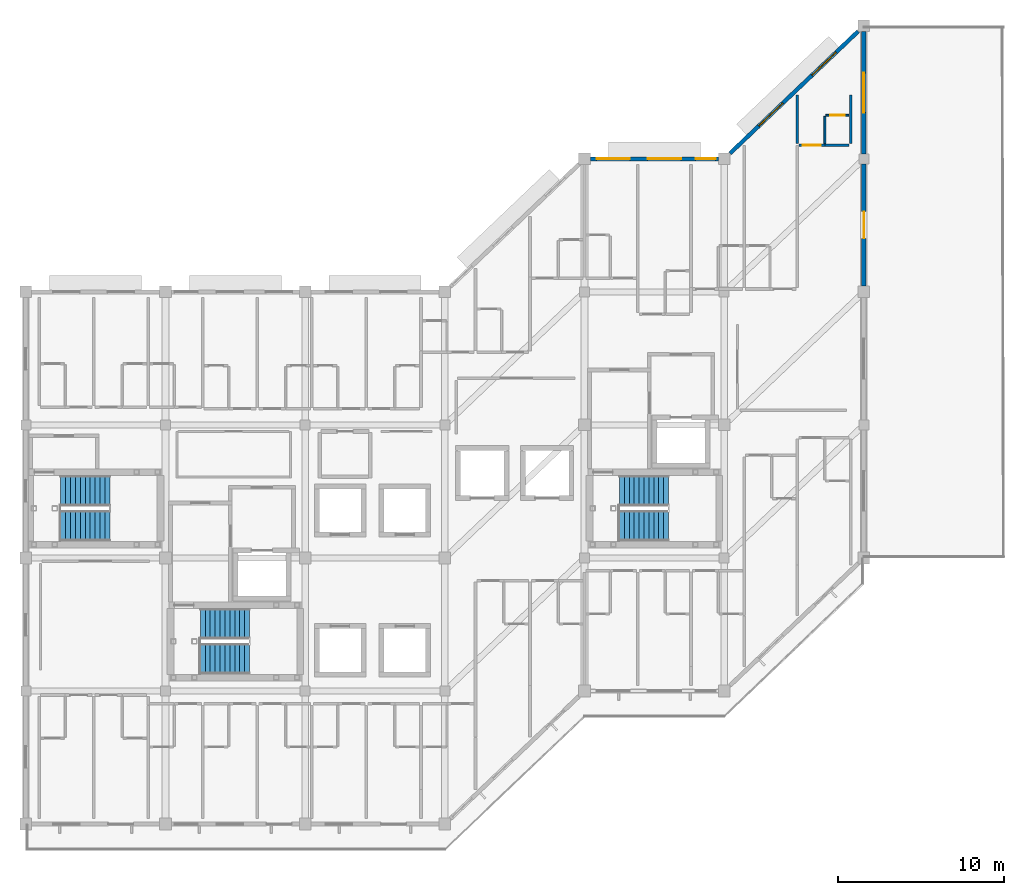
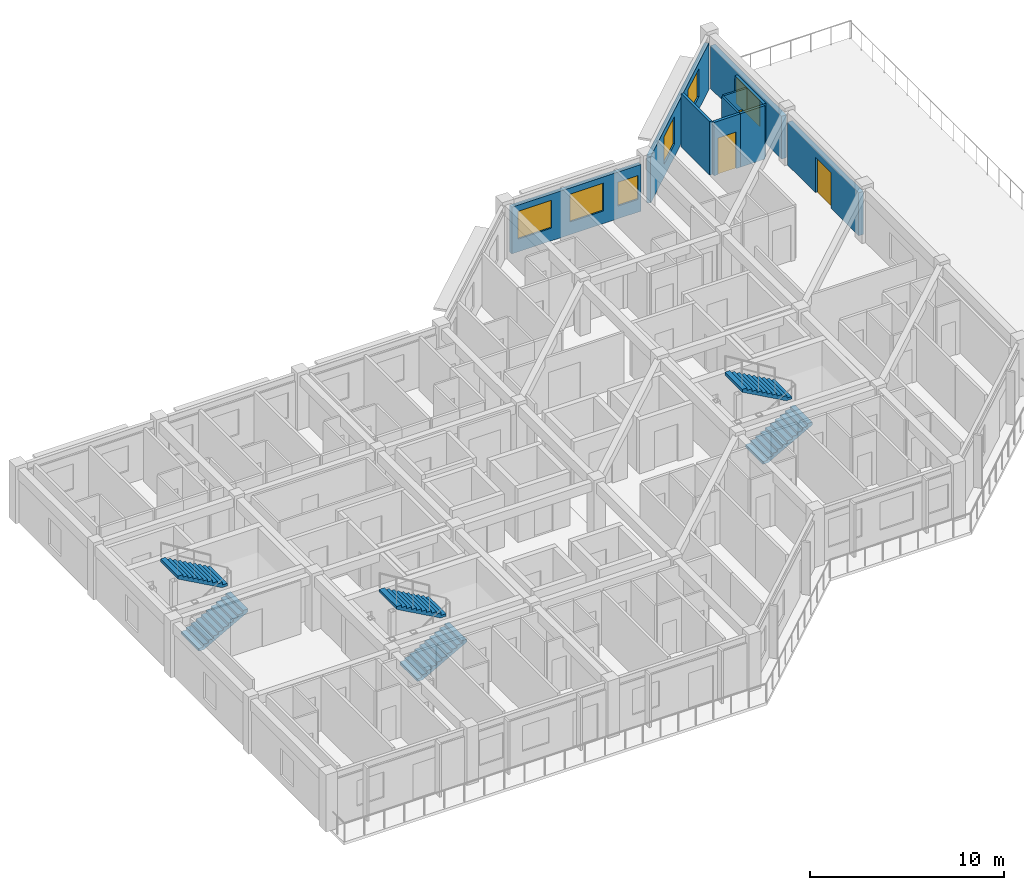
# One storey, part 12 of 15: 10 walls, 6 stair flights, 6 windows, 3 doors, 9 openings, 3 elements without a shape of their own.
"""IFC4 building model written with IfcOpenShell, lengths in metres."""

from ifc_helpers import new_model, si_unit, direction, frame, frame_2d, origin, place, context, subcontext, project, spatial, polyline, rectangle, outline, extrude, material, layer, layer_set, type_object, element, fill, aggregate, save


model = new_model("IFC4")

# Units and contexts
model_context = context("Model", 3, precision=1e-05, world=origin(), true_north=direction((0.0, 1.0)))
body_context = subcontext(model_context, "Body", "Model", "MODEL_VIEW")
ifc_project = project(units=[si_unit("LENGTHUNIT", "METRE"), si_unit("AREAUNIT", "SQUARE_METRE"), si_unit("VOLUMEUNIT", "CUBIC_METRE"), si_unit("PLANEANGLEUNIT", "RADIAN"), si_unit("MASSUNIT", "GRAM", prefix="KILO")], contexts=[model_context])

# Site, building, storey
site_placement = place(None, origin())
site = spatial("IfcSite", under=ifc_project, at=site_placement, CompositionType="ELEMENT")
building_placement = place(site_placement, origin())
building = spatial("IfcBuilding", under=site, at=building_placement, Name="Naruveol Harbour Congress Hotel", CompositionType="ELEMENT")
storey_placement = place(building_placement, frame((0.0, 0.0, 36.0)))
storey = spatial("IfcBuildingStorey", under=building, at=storey_placement, Name="L08", CompositionType="ELEMENT", Elevation=36.0)

# Wall, opening, window
ifc_material_1 = material(Name="Precast concrete C40/50", Category="concrete")
ifc_layer_1 = layer(ifc_material_1, 0.280029296875)
ifc_layer_set_1 = layer_set([ifc_layer_1], Name="Precast concrete C40/50")
wall_type_1 = type_object("IfcWallType", Name="ARCHITECTURAL PRECAST FACADE WALL 280", PredefinedType="SOLIDWALL", material=ifc_layer_set_1)
wall_1_placement = place(storey_placement, frame((168.0, 47.64990234375, 0.0), z_axis=(0.0, 0.0, 1.0), x_axis=(0.0, -1.0, 0.0)))
wall_1 = element("IfcWall", 1, at=wall_1_placement, inside=storey, type_object=wall_type_1, Name="Hotel east gable wall L08 EW-280", PredefinedType="SOLIDWALL", context=body_context, shape_type="SweptSolid", body=[
    extrude(rectangle(XDim=7.349853515625, YDim=0.280029296875, at=frame_2d((3.6748046875, 0.0))), origin(), (0.0, 0.0, 1.0), 2.699951171875),
])
opening_1_placement = place(wall_1_placement, frame((2.47509765625, 0.0, 0.5)))
opening_1 = element("IfcOpeningElement", 2, at=opening_1_placement, cuts=wall_1, Name="Opening W-07", PredefinedType="OPENING", context=body_context, shape_type="SweptSolid", body=[
    extrude(rectangle(XDim=2.39990234375, YDim=1.64990234375, at=frame_2d((1.199951171875, 0.824951171875))), frame((0.0, 0.14990234375, 0.0), z_axis=(0.0, -1.0, 0.0), x_axis=(1.0, 0.0, 0.0)), (0.0, 0.0, 1.0), 0.300048828125),
])
ifc_material_2 = material(Name="Low-E Triple Glazing in Thermal Aluminium", Category="aluminium")
window_type_1 = type_object("IfcWindowType", Name="CORNER SUITE WINDOW 2400X1650", PartitioningType="DOUBLE_PANEL_VERTICAL", PredefinedType="WINDOW", material=ifc_material_2)
window_1_placement = place(opening_1_placement, origin())
window_1 = element("IfcWindow", 3, at=window_1_placement, inside=storey, type_object=window_type_1, Name="Window W-07 #440", OverallHeight=1.64990234375, OverallWidth=2.39990234375, PartitioningType="DOUBLE_PANEL_VERTICAL", PredefinedType="WINDOW", context=body_context, shape_type="SweptSolid", body=[
    extrude(rectangle(XDim=2.39990234375, YDim=1.64990234375, at=frame_2d((1.199951171875, 0.824951171875))), frame((0.0, 0.030029296875, 0.0), z_axis=(0.0, -1.0, 0.0), x_axis=(1.0, 0.0, 0.0)), (0.0, 0.0, 1.0), 0.06005859375),
])
fill(opening_1, window_1)

# Wall, opening, door
wall_2_placement = place(storey_placement, frame((168.0, 39.699951171875, 0.0), z_axis=(0.0, 0.0, 1.0), x_axis=(0.0, -1.0, 0.0)))
wall_2 = element("IfcWall", 4, at=wall_2_placement, inside=storey, type_object=wall_type_1, Name="Hotel east gable wall L08 EW-280", PredefinedType="SOLIDWALL", context=body_context, shape_type="SweptSolid", body=[
    extrude(rectangle(XDim=7.349853515625, YDim=0.280029296875, at=frame_2d((3.6748046875, 0.0))), origin(), (0.0, 0.0, 1.0), 2.699951171875),
])
opening_2_placement = place(wall_2_placement, frame((2.875, 0.0, 0.0)))
opening_2 = element("IfcOpeningElement", 5, at=opening_2_placement, cuts=wall_2, Name="Opening ED-TE-L08", PredefinedType="OPENING", context=body_context, shape_type="SweptSolid", body=[
    extrude(rectangle(XDim=1.60009765625, YDim=2.25, at=frame_2d((0.800048828125, 1.125))), frame((0.0, 0.14990234375, 0.0), z_axis=(0.0, -1.0, 0.0), x_axis=(1.0, 0.0, 0.0)), (0.0, 0.0, 1.0), 0.300048828125),
])
ifc_material_3 = material(Name="Powder-Coated Steel & Insulated Glazing", Category="steel")
door_type_1 = type_object("IfcDoorType", Name="HARBOUR GARDEN TERRACE DOOR 1600X2250", OperationType="DOUBLE_DOOR_SINGLE_SWING", PredefinedType="DOOR", material=ifc_material_3)
door_1_placement = place(opening_2_placement, origin())
door_1 = element("IfcDoor", 6, at=door_1_placement, inside=storey, type_object=door_type_1, Name="L08 East Harbour Terrace Door", OperationType="DOUBLE_DOOR_SINGLE_SWING", OverallHeight=2.25, OverallWidth=1.60009765625, PredefinedType="DOOR", context=body_context, shape_type="SweptSolid", body=[
    extrude(rectangle(XDim=1.60009765625, YDim=2.25, at=frame_2d((0.800048828125, 1.125))), frame((0.0, 0.02490234375, 0.0), z_axis=(0.0, -1.0, 0.0), x_axis=(1.0, 0.0, 0.0)), (0.0, 0.0, 1.0), 0.050048828125),
])
fill(opening_2, door_1)

# Wall
ifc_material_4 = material(Name="Moisture-Resistant Gypsum Partition", Category="gypsum")
ifc_layer_2 = layer(ifc_material_4, 0.114990234375)
ifc_layer_set_2 = layer_set([ifc_layer_2], Name="Moisture-Resistant Gypsum Partition")
wall_type_2 = type_object("IfcWallType", Name="BATHROOM MOISTURE PARTITION WALL 115", PredefinedType="PARTITIONING", material=ifc_layer_set_2)
wall_3_placement = place(storey_placement, frame((165.64990234375, 40.909912109375, 0.0), z_axis=(0.0, 0.0, 1.0), x_axis=(0.0, 1.0, 0.0)))
element("IfcWall", 7, at=wall_3_placement, inside=storey, type_object=wall_type_2, Name="Bathroom west wall 0950 PW-115", PredefinedType="PARTITIONING", context=body_context, shape_type="SweptSolid", body=[
    extrude(rectangle(XDim=1.650146484375, YDim=0.114990234375, at=frame_2d((0.8251953125, 0.0))), origin(), (0.0, 0.0, 1.0), 3.364990234375),
])

# Wall, opening, door
wall_4_placement = place(storey_placement, frame((165.7099609375, 42.6201171875, 0.0), z_axis=(0.0, 0.0, 1.0), x_axis=(1.0, 0.0, 0.0)))
wall_4 = element("IfcWall", 8, at=wall_4_placement, inside=storey, type_object=wall_type_2, Name="Bathroom north wall 0950 PW-115", PredefinedType="PARTITIONING", context=body_context, shape_type="SweptSolid", body=[
    extrude(rectangle(XDim=1.39013671875, YDim=0.114990234375, at=frame_2d((0.695068359375, 0.0))), origin(), (0.0, 0.0, 1.0), 3.364990234375),
])
opening_3_placement = place(wall_4_placement, frame((0.264892578125, 0.0, 0.0)))
opening_3 = element("IfcOpeningElement", 9, at=opening_3_placement, cuts=wall_4, Name="Opening BD-RM0950", PredefinedType="OPENING", context=body_context, shape_type="SweptSolid", body=[
    extrude(rectangle(XDim=0.860107421875, YDim=2.1201171875, at=frame_2d((0.43017578125, 1.06005859375))), frame((0.0, 0.0673828125, 0.0), z_axis=(0.0, -1.0, 0.0), x_axis=(1.0, 0.0, 0.0)), (0.0, 0.0, 1.0), 0.135009765625),
])
ifc_material_5 = material(Name="Timber & Steel Acoustic Leaf", Category="steel")
door_type_2 = type_object("IfcDoorType", Name="GUEST BATHROOM DOOR 860X2120", OperationType="NOTDEFINED", PredefinedType="DOOR", material=ifc_material_5)
door_2_placement = place(opening_3_placement, origin())
door_2 = element("IfcDoor", 10, at=door_2_placement, inside=storey, type_object=door_type_2, Name="Bathroom Door 0950", OperationType="SINGLE_SWING_RIGHT", OverallHeight=2.1201171875, OverallWidth=0.860107421875, PredefinedType="DOOR", context=body_context, shape_type="SweptSolid", body=[
    extrude(rectangle(XDim=0.860107421875, YDim=2.1201171875, at=frame_2d((0.43017578125, 1.06005859375))), frame((0.0, 0.02490234375, 0.0), z_axis=(0.0, -1.0, 0.0), x_axis=(1.0, 0.0, 0.0)), (0.0, 0.0, 1.0), 0.050048828125),
])
fill(opening_3, door_2)

ifc_material_6 = material(Name="Autoclaved Aerated Concrete Block", Category="concrete")
ifc_layer_3 = layer(ifc_material_6, 0.159912109375)
ifc_layer_set_3 = layer_set([ifc_layer_3], Name="Autoclaved Aerated Concrete Block")
wall_type_3 = type_object("IfcWallType", Name="HOTEL PARTY AND CORRIDOR WALL 160 EI60", PredefinedType="PARTITIONING", material=ifc_layer_set_3)
wall_5_placement = place(storey_placement, frame((164.090087890625, 40.820068359375, 0.0), z_axis=(0.0, 0.0, 1.0), x_axis=(1.0, 0.0, 0.0)))
wall_5 = element("IfcWall", 11, at=wall_5_placement, inside=storey, type_object=wall_type_3, Name="Corridor entry wall 0950 PW-160", PredefinedType="PARTITIONING", context=body_context, shape_type="SweptSolid", body=[
    extrude(rectangle(XDim=1.559814453125, YDim=0.159912109375, at=frame_2d((0.77978515625, 0.0))), origin(), (0.0, 0.0, 1.0), 3.364990234375),
])
opening_4_placement = place(wall_5_placement, frame((0.239990234375, 0.0, 0.0)))
opening_4 = element("IfcOpeningElement", 12, at=opening_4_placement, cuts=wall_5, Name="Opening FD-RM0950", PredefinedType="OPENING", context=body_context, shape_type="SweptSolid", body=[
    extrude(rectangle(XDim=1.080078125, YDim=2.300048828125, at=frame_2d((0.5400390625, 1.14990234375))), frame((0.0, 0.08984375, 0.0), z_axis=(0.0, -1.0, 0.0), x_axis=(1.0, 0.0, 0.0)), (0.0, 0.0, 1.0), 0.179931640625),
])
ifc_material_7 = material(Name="Timber & Steel Acoustic Leaf", Category="steel")
door_type_3 = type_object("IfcDoorType", Name="SUITE ENTRANCE FIRE DOOR 1080X2300", OperationType="NOTDEFINED", PredefinedType="DOOR", material=ifc_material_7)
door_3_placement = place(opening_4_placement, origin())
door_3 = element("IfcDoor", 13, at=door_3_placement, inside=storey, type_object=door_type_3, Name="Hotel Room Door 0950", OperationType="SINGLE_SWING_LEFT", OverallHeight=2.300048828125, OverallWidth=1.080078125, PredefinedType="DOOR", context=body_context, shape_type="SweptSolid", body=[
    extrude(rectangle(XDim=1.080078125, YDim=2.300048828125, at=frame_2d((0.5400390625, 1.14990234375))), frame((0.0, 0.02490234375, 0.0), z_axis=(0.0, -1.0, 0.0), x_axis=(1.0, 0.0, 0.0)), (0.0, 0.0, 1.0), 0.050048828125),
])
fill(opening_4, door_3)

# Walls
wall_6_placement = place(storey_placement, frame((165.659912109375, 40.820068359375, 0.0), z_axis=(0.0, 0.0, 1.0), x_axis=(1.0, 0.0, 0.0)))
element("IfcWall", 14, at=wall_6_placement, inside=storey, type_object=wall_type_3, Name="Corridor wall 0950B PW-160", PredefinedType="PARTITIONING", context=body_context, shape_type="SweptSolid", body=[
    extrude(rectangle(XDim=1.4501953125, YDim=0.159912109375, at=frame_2d((0.72509765625, 0.0))), origin(), (0.0, 0.0, 1.0), 3.364990234375),
])
for number, where, z_axis, x_axis, name in (
    (15, (164.0, 40.909912109375, 0.0), (0.0, 0.0, 1.0), (0.0, 1.0, 0.0), "Hotel party wall 0950 PW-160"),
    (16, (167.199951171875, 40.909912109375, 0.0), (0.0, 0.0, 1.0), (0.0, 1.0, 0.0), "Hotel end party wall 0950 PW-160"),
):
    element("IfcWall", number, at=place(storey_placement, frame(where, z_axis=z_axis, x_axis=x_axis)), inside=storey, type_object=wall_type_3, Name=name, PredefinedType="PARTITIONING", context=body_context, shape_type="SweptSolid", body=[
        extrude(rectangle(XDim=2.940185546875, YDim=0.159912109375, at=frame_2d((1.47021484375, 0.0))), origin(), (0.0, 0.0, 1.0), 3.364990234375),
    ])

# Wall, openings, windows
ifc_material_8 = material(Name="Concrete C40/50", Category="concrete")
ifc_layer_4 = layer(ifc_material_8, 0.239990234375)
ifc_layer_set_4 = layer_set([ifc_layer_4], Name="Concrete C40/50")
wall_type_4 = type_object("IfcWallType", Name="INSULATED HOTEL SPANDREL WALL 240", PredefinedType="SOLIDWALL", material=ifc_layer_set_4)
wall_7_placement = place(storey_placement, frame((151.550048828125, 40.0, 0.0), z_axis=(0.0, 0.0, 1.0), x_axis=(1.0, 0.0, 0.0)))
wall_7 = element("IfcWall", 17, at=wall_7_placement, inside=storey, type_object=wall_type_4, Name="Hotel north bay wall L08 EW-240", PredefinedType="SOLIDWALL", context=body_context, shape_type="SweptSolid", body=[
    extrude(rectangle(XDim=7.699951171875, YDim=0.239990234375, at=frame_2d((3.85009765625, 0.0))), origin(), (0.0, 0.0, 1.0), 2.93994140625),
])
opening_5_placement = place(wall_7_placement, frame((0.375, 0.0, 0.800048828125)))
opening_5 = element("IfcOpeningElement", 18, at=opening_5_placement, cuts=wall_7, Name="Opening W-05", PredefinedType="OPENING", context=body_context, shape_type="SweptSolid", body=[
    extrude(rectangle(XDim=2.0, YDim=1.75, at=frame_2d((1.0, 0.875))), frame((0.0, 0.1298828125, 0.0), z_axis=(0.0, -1.0, 0.0), x_axis=(1.0, 0.0, 0.0)), (0.0, 0.0, 1.0), 0.260009765625),
])
opening_6_placement = place(wall_7_placement, frame((3.449951171875, 0.0, 0.800048828125)))
opening_6 = element("IfcOpeningElement", 19, at=opening_6_placement, cuts=wall_7, Name="Opening W-05", PredefinedType="OPENING", context=body_context, shape_type="SweptSolid", body=[
    extrude(rectangle(XDim=2.0, YDim=1.75, at=frame_2d((1.0, 0.875))), frame((0.0, 0.1298828125, 0.0), z_axis=(0.0, -1.0, 0.0), x_axis=(1.0, 0.0, 0.0)), (0.0, 0.0, 1.0), 0.260009765625),
])
opening_7_placement = place(wall_7_placement, frame((6.324951171875, 0.0, 0.800048828125)))
opening_7 = element("IfcOpeningElement", 20, at=opening_7_placement, cuts=wall_7, Name="Opening W-01", PredefinedType="OPENING", context=body_context, shape_type="SweptSolid", body=[
    extrude(rectangle(XDim=1.199951171875, YDim=1.5, at=frame_2d((0.60009765625, 0.75))), frame((0.0, 0.1298828125, 0.0), z_axis=(0.0, -1.0, 0.0), x_axis=(1.0, 0.0, 0.0)), (0.0, 0.0, 1.0), 0.260009765625),
])
ifc_material_9 = material(Name="Low-E Triple Glazing in Thermal Aluminium", Category="aluminium")
window_type_2 = type_object("IfcWindowType", Name="GARDEN SUITE WINDOW 2000X1750", PartitioningType="DOUBLE_PANEL_VERTICAL", PredefinedType="WINDOW", material=ifc_material_9)
window_2_placement = place(opening_5_placement, origin())
window_2 = element("IfcWindow", 21, at=window_2_placement, inside=storey, type_object=window_type_2, Name="Window W-05 #434", OverallHeight=1.75, OverallWidth=2.0, PartitioningType="DOUBLE_PANEL_VERTICAL", PredefinedType="WINDOW", context=body_context, shape_type="SweptSolid", body=[
    extrude(rectangle(XDim=2.0, YDim=1.75, at=frame_2d((1.0, 0.875))), frame((0.0, 0.030029296875, 0.0), z_axis=(0.0, -1.0, 0.0), x_axis=(1.0, 0.0, 0.0)), (0.0, 0.0, 1.0), 0.06005859375),
])
fill(opening_5, window_2)
window_3_placement = place(opening_6_placement, origin())
window_3 = element("IfcWindow", 22, at=window_3_placement, inside=storey, type_object=window_type_2, Name="Window W-05 #435", OverallHeight=1.75, OverallWidth=2.0, PartitioningType="DOUBLE_PANEL_VERTICAL", PredefinedType="WINDOW", context=body_context, shape_type="SweptSolid", body=[
    extrude(rectangle(XDim=2.0, YDim=1.75, at=frame_2d((1.0, 0.875))), frame((0.0, 0.030029296875, 0.0), z_axis=(0.0, -1.0, 0.0), x_axis=(1.0, 0.0, 0.0)), (0.0, 0.0, 1.0), 0.06005859375),
])
fill(opening_6, window_3)
ifc_material_10 = material(Name="Low-E Triple Glazing in Thermal Aluminium", Category="aluminium")
window_type_3 = type_object("IfcWindowType", Name="GUEST ROOM PUNCH WINDOW 1200X1500", PartitioningType="SINGLE_PANEL", PredefinedType="WINDOW", material=ifc_material_10)
window_4_placement = place(opening_7_placement, origin())
window_4 = element("IfcWindow", 23, at=window_4_placement, inside=storey, type_object=window_type_3, Name="Window W-01 #436", OverallHeight=1.5, OverallWidth=1.199951171875, PartitioningType="SINGLE_PANEL", PredefinedType="WINDOW", context=body_context, shape_type="SweptSolid", body=[
    extrude(rectangle(XDim=1.199951171875, YDim=1.5, at=frame_2d((0.60009765625, 0.75))), frame((0.0, 0.030029296875, 0.0), z_axis=(0.0, -1.0, 0.0), x_axis=(1.0, 0.0, 0.0)), (0.0, 0.0, 1.0), 0.06005859375),
])
fill(opening_7, window_4)

wall_8_placement = place(storey_placement, frame((159.949951171875, 40.3330078125, 0.0), z_axis=(0.0, 0.0, 1.0), x_axis=(0.724105170588, 0.689689569247, 0.0)))
wall_8 = element("IfcWall", 24, at=wall_8_placement, inside=storey, type_object=wall_type_4, Name="Hotel north bay wall L08 EW-240", PredefinedType="SOLIDWALL", context=body_context, shape_type="SweptSolid", body=[
    extrude(rectangle(XDim=10.6337890625, YDim=0.239990234375, at=frame_2d((5.31689453125, 0.0))), origin(), (0.0, 0.0, 1.0), 2.93994140625),
])
opening_8_placement = place(wall_8_placement, frame((2.383056640625, 0.0, 0.800048828125)))
opening_8 = element("IfcOpeningElement", 25, at=opening_8_placement, cuts=wall_8, Name="Opening W-05", PredefinedType="OPENING", context=body_context, shape_type="SweptSolid", body=[
    extrude(rectangle(XDim=2.0, YDim=1.75, at=frame_2d((1.0, 0.875))), frame((0.0, 0.1298828125, 0.0), z_axis=(0.0, -1.0, 0.0), x_axis=(1.0, 0.0, 0.0)), (0.0, 0.0, 1.0), 0.260009765625),
])
opening_9_placement = place(wall_8_placement, frame((6.802978515625, 0.0, 0.800048828125)))
opening_9 = element("IfcOpeningElement", 26, at=opening_9_placement, cuts=wall_8, Name="Opening W-05", PredefinedType="OPENING", context=body_context, shape_type="SweptSolid", body=[
    extrude(rectangle(XDim=2.0, YDim=1.75, at=frame_2d((1.0, 0.875))), frame((0.0, 0.1298828125, 0.0), z_axis=(0.0, -1.0, 0.0), x_axis=(1.0, 0.0, 0.0)), (0.0, 0.0, 1.0), 0.260009765625),
])
window_5_placement = place(opening_8_placement, origin())
window_5 = element("IfcWindow", 27, at=window_5_placement, inside=storey, type_object=window_type_2, Name="Window W-05 #438", OverallHeight=1.75, OverallWidth=2.0, PartitioningType="DOUBLE_PANEL_VERTICAL", PredefinedType="WINDOW", context=body_context, shape_type="SweptSolid", body=[
    extrude(rectangle(XDim=2.0, YDim=1.75, at=frame_2d((1.0, 0.875))), frame((0.0, 0.030029296875, 0.0), z_axis=(0.0, -1.0, 0.0), x_axis=(1.0, 0.0, 0.0)), (0.0, 0.0, 1.0), 0.06005859375),
])
fill(opening_8, window_5)
window_6_placement = place(opening_9_placement, origin())
window_6 = element("IfcWindow", 28, at=window_6_placement, inside=storey, type_object=window_type_2, Name="Window W-05 #439", OverallHeight=1.75, OverallWidth=2.0, PartitioningType="DOUBLE_PANEL_VERTICAL", PredefinedType="WINDOW", context=body_context, shape_type="SweptSolid", body=[
    extrude(rectangle(XDim=2.0, YDim=1.75, at=frame_2d((1.0, 0.875))), frame((0.0, 0.030029296875, 0.0), z_axis=(0.0, -1.0, 0.0), x_axis=(1.0, 0.0, 0.0)), (0.0, 0.0, 1.0), 0.06005859375),
])
fill(opening_9, window_6)

# Stair, stair flights
ifc_material_11 = material(Name="Concrete C40/50", Category="concrete")
stair_type = type_object("IfcStairType", Name="RC DOG LEG ESCAPE STAIR 1800W H3600", PredefinedType="HALF_TURN_STAIR", material=ifc_material_11)
stair_1_placement = place(storey_placement, origin())
stair_1 = element("IfcStair", 29, at=stair_1_placement, inside=storey, type_object=stair_type, Name="Special Escape Stair ST1 L08 to L09", PredefinedType="HALF_TURN_STAIR")
ifc_material_12 = material(Name="Concrete C40/50", Category="concrete")
stair_flight_type = type_object("IfcStairFlightType", Name="RC STRAIGHT STAIR FLIGHT 1800W R11", PredefinedType="STRAIGHT", material=ifc_material_12)
stair_flight_1_placement = place(storey_placement, frame((128.10009765625, 9.919921875, 0.0), z_axis=(0.0, 0.0, 1.0), x_axis=(1.0, 0.0, 0.0)))
stair_flight_1 = element("IfcStairFlight", 30, at=stair_flight_1_placement, type_object=stair_flight_type, Name="ST1 L08 lower flight", NumberOfRisers=11, NumberOfTreads=10, PredefinedType="STRAIGHT", RiserHeight=0.163636, TreadLength=0.295, context=body_context, shape_type="SweptSolid", body=[
    extrude(outline(polyline([(0.0, 0.0), (0.0, 0.16357421875), (0.294921875, 0.16357421875), (0.294921875, 0.327392578125), (0.590087890625, 0.327392578125), (0.590087890625, 0.490966796875), (0.885009765625, 0.490966796875), (0.885009765625, 0.654541015625), (1.179931640625, 0.654541015625), (1.179931640625, 0.818115234375), (1.47509765625, 0.818115234375), (1.47509765625, 0.98193359375), (1.77001953125, 0.98193359375), (1.77001953125, 1.1455078125), (2.06494140625, 1.1455078125), (2.06494140625, 1.30908203125), (2.360107421875, 1.30908203125), (2.360107421875, 1.47265625), (2.655029296875, 1.47265625), (2.655029296875, 1.636474609375), (2.949951171875, 1.636474609375), (2.949951171875, 1.800048828125), (2.949951171875, 1.45361328125), (0.32958984375, 0.0), (0.0, 0.0)])), frame((0.0, 0.89990234375, 0.0), z_axis=(0.0, -1.0, 0.0), x_axis=(1.0, 0.0, 0.0)), (0.0, 0.0, 1.0), 1.800048828125),
])
stair_flight_2_placement = place(storey_placement, frame((131.050048828125, 12.0400390625, 1.800048828125), z_axis=(0.0, 0.0, 1.0), x_axis=(-1.0, 0.0, 0.0)))
stair_flight_2 = element("IfcStairFlight", 31, at=stair_flight_2_placement, type_object=stair_flight_type, Name="ST1 L08 upper flight", NumberOfRisers=11, NumberOfTreads=10, PredefinedType="STRAIGHT", RiserHeight=0.163636, TreadLength=0.295, context=body_context, shape_type="SweptSolid", body=[
    extrude(outline(polyline([(0.0, 0.0), (0.0, 0.16357421875), (0.294921875, 0.16357421875), (0.294921875, 0.327392578125), (0.590087890625, 0.327392578125), (0.590087890625, 0.490966796875), (0.885009765625, 0.490966796875), (0.885009765625, 0.654541015625), (1.179931640625, 0.654541015625), (1.179931640625, 0.818115234375), (1.47509765625, 0.818115234375), (1.47509765625, 0.98193359375), (1.77001953125, 0.98193359375), (1.77001953125, 1.1455078125), (2.06494140625, 1.1455078125), (2.06494140625, 1.30908203125), (2.360107421875, 1.30908203125), (2.360107421875, 1.47265625), (2.655029296875, 1.47265625), (2.655029296875, 1.636474609375), (2.949951171875, 1.636474609375), (2.949951171875, 1.800048828125), (2.949951171875, 1.45361328125), (0.32958984375, 0.0), (0.0, 0.0)])), frame((0.0, 0.89990234375, 0.0), z_axis=(0.0, -1.0, 0.0), x_axis=(1.0, 0.0, 0.0)), (0.0, 0.0, 1.0), 1.800048828125),
])
aggregate(stair_1, [stair_flight_1, stair_flight_2])

stair_2_placement = place(storey_placement, origin())
stair_2 = element("IfcStair", 32, at=stair_2_placement, inside=storey, type_object=stair_type, Name="Special Escape Stair ST2 L08 to L09", PredefinedType="HALF_TURN_STAIR")
stair_flight_3_placement = place(storey_placement, frame((153.300048828125, 17.919921875, 0.0), z_axis=(0.0, 0.0, 1.0), x_axis=(1.0, 0.0, 0.0)))
stair_flight_3 = element("IfcStairFlight", 33, at=stair_flight_3_placement, type_object=stair_flight_type, Name="ST2 L08 lower flight", NumberOfRisers=11, NumberOfTreads=10, PredefinedType="STRAIGHT", RiserHeight=0.163636, TreadLength=0.295, context=body_context, shape_type="SweptSolid", body=[
    extrude(outline(polyline([(0.0, 0.0), (0.0, 0.16357421875), (0.294921875, 0.16357421875), (0.294921875, 0.327392578125), (0.590087890625, 0.327392578125), (0.590087890625, 0.490966796875), (0.885009765625, 0.490966796875), (0.885009765625, 0.654541015625), (1.179931640625, 0.654541015625), (1.179931640625, 0.818115234375), (1.47509765625, 0.818115234375), (1.47509765625, 0.98193359375), (1.77001953125, 0.98193359375), (1.77001953125, 1.1455078125), (2.06494140625, 1.1455078125), (2.06494140625, 1.30908203125), (2.360107421875, 1.30908203125), (2.360107421875, 1.47265625), (2.655029296875, 1.47265625), (2.655029296875, 1.636474609375), (2.949951171875, 1.636474609375), (2.949951171875, 1.800048828125), (2.949951171875, 1.45361328125), (0.32958984375, 0.0), (0.0, 0.0)])), frame((0.0, 0.89990234375, 0.0), z_axis=(0.0, -1.0, 0.0), x_axis=(1.0, 0.0, 0.0)), (0.0, 0.0, 1.0), 1.800048828125),
])
stair_flight_4_placement = place(storey_placement, frame((156.25, 20.0400390625, 1.800048828125), z_axis=(0.0, 0.0, 1.0), x_axis=(-1.0, 0.0, 0.0)))
stair_flight_4 = element("IfcStairFlight", 34, at=stair_flight_4_placement, type_object=stair_flight_type, Name="ST2 L08 upper flight", NumberOfRisers=11, NumberOfTreads=10, PredefinedType="STRAIGHT", RiserHeight=0.163636, TreadLength=0.295, context=body_context, shape_type="SweptSolid", body=[
    extrude(outline(polyline([(0.0, 0.0), (0.0, 0.16357421875), (0.294921875, 0.16357421875), (0.294921875, 0.327392578125), (0.590087890625, 0.327392578125), (0.590087890625, 0.490966796875), (0.885009765625, 0.490966796875), (0.885009765625, 0.654541015625), (1.179931640625, 0.654541015625), (1.179931640625, 0.818115234375), (1.47509765625, 0.818115234375), (1.47509765625, 0.98193359375), (1.77001953125, 0.98193359375), (1.77001953125, 1.1455078125), (2.06494140625, 1.1455078125), (2.06494140625, 1.30908203125), (2.360107421875, 1.30908203125), (2.360107421875, 1.47265625), (2.655029296875, 1.47265625), (2.655029296875, 1.636474609375), (2.949951171875, 1.636474609375), (2.949951171875, 1.800048828125), (2.949951171875, 1.45361328125), (0.32958984375, 0.0), (0.0, 0.0)])), frame((0.0, 0.89990234375, 0.0), z_axis=(0.0, -1.0, 0.0), x_axis=(1.0, 0.0, 0.0)), (0.0, 0.0, 1.0), 1.800048828125),
])
aggregate(stair_2, [stair_flight_3, stair_flight_4])

stair_3_placement = place(storey_placement, origin())
stair_3 = element("IfcStair", 35, at=stair_3_placement, inside=storey, type_object=stair_type, Name="Special Escape Stair ST3 L08 to L09", PredefinedType="HALF_TURN_STAIR")
stair_flight_5_placement = place(storey_placement, frame((119.699951171875, 17.919921875, 0.0), z_axis=(0.0, 0.0, 1.0), x_axis=(1.0, 0.0, 0.0)))
stair_flight_5 = element("IfcStairFlight", 36, at=stair_flight_5_placement, type_object=stair_flight_type, Name="ST3 L08 lower flight", NumberOfRisers=11, NumberOfTreads=10, PredefinedType="STRAIGHT", RiserHeight=0.163636, TreadLength=0.295, context=body_context, shape_type="SweptSolid", body=[
    extrude(outline(polyline([(0.0, 0.0), (0.0, 0.16357421875), (0.294921875, 0.16357421875), (0.294921875, 0.327392578125), (0.590087890625, 0.327392578125), (0.590087890625, 0.490966796875), (0.885009765625, 0.490966796875), (0.885009765625, 0.654541015625), (1.179931640625, 0.654541015625), (1.179931640625, 0.818115234375), (1.47509765625, 0.818115234375), (1.47509765625, 0.98193359375), (1.77001953125, 0.98193359375), (1.77001953125, 1.1455078125), (2.06494140625, 1.1455078125), (2.06494140625, 1.30908203125), (2.360107421875, 1.30908203125), (2.360107421875, 1.47265625), (2.655029296875, 1.47265625), (2.655029296875, 1.636474609375), (2.949951171875, 1.636474609375), (2.949951171875, 1.800048828125), (2.949951171875, 1.45361328125), (0.32958984375, 0.0), (0.0, 0.0)])), frame((0.0, 0.89990234375, 0.0), z_axis=(0.0, -1.0, 0.0), x_axis=(1.0, 0.0, 0.0)), (0.0, 0.0, 1.0), 1.800048828125),
])
stair_flight_6_placement = place(storey_placement, frame((122.64990234375, 20.0400390625, 1.800048828125), z_axis=(0.0, 0.0, 1.0), x_axis=(-1.0, 0.0, 0.0)))
stair_flight_6 = element("IfcStairFlight", 37, at=stair_flight_6_placement, type_object=stair_flight_type, Name="ST3 L08 upper flight", NumberOfRisers=11, NumberOfTreads=10, PredefinedType="STRAIGHT", RiserHeight=0.163636, TreadLength=0.295, context=body_context, shape_type="SweptSolid", body=[
    extrude(outline(polyline([(0.0, 0.0), (0.0, 0.16357421875), (0.294921875, 0.16357421875), (0.294921875, 0.327392578125), (0.590087890625, 0.327392578125), (0.590087890625, 0.490966796875), (0.885009765625, 0.490966796875), (0.885009765625, 0.654541015625), (1.179931640625, 0.654541015625), (1.179931640625, 0.818115234375), (1.47509765625, 0.818115234375), (1.47509765625, 0.98193359375), (1.77001953125, 0.98193359375), (1.77001953125, 1.1455078125), (2.06494140625, 1.1455078125), (2.06494140625, 1.30908203125), (2.360107421875, 1.30908203125), (2.360107421875, 1.47265625), (2.655029296875, 1.47265625), (2.655029296875, 1.636474609375), (2.949951171875, 1.636474609375), (2.949951171875, 1.800048828125), (2.949951171875, 1.45361328125), (0.32958984375, 0.0), (0.0, 0.0)])), frame((0.0, 0.89990234375, 0.0), z_axis=(0.0, -1.0, 0.0), x_axis=(1.0, 0.0, 0.0)), (0.0, 0.0, 1.0), 1.800048828125),
])
aggregate(stair_3, [stair_flight_5, stair_flight_6])

save(model, "model.ifc")
